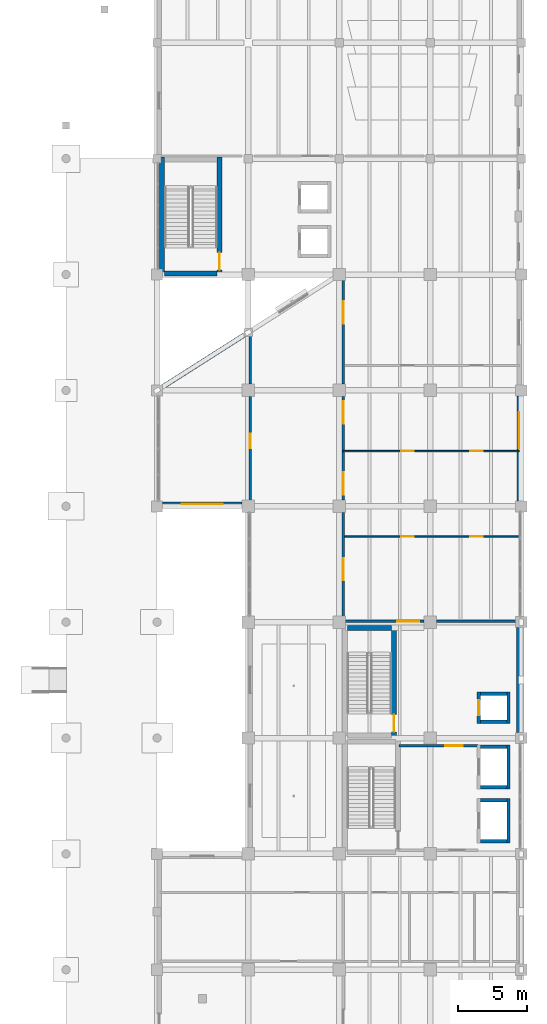
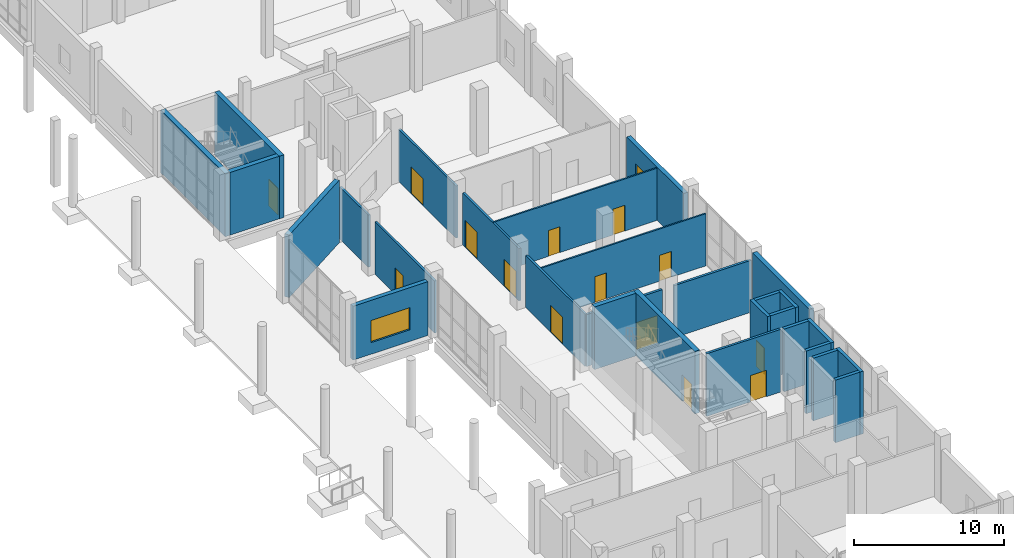
# One storey, part 47 of 64: 29 walls, 14 doors, 2 windows, 16 openings.
"""IFC4 building model written with IfcOpenShell, lengths in metres."""

from ifc_helpers import new_model, si_unit, direction, frame, frame_2d, origin, place, context, subcontext, project, spatial, rectangle, extrude, material, layer, layer_set, type_object, element, fill, save


model = new_model("IFC4")

# Units and contexts
model_context = context("Model", 3, precision=1e-05, world=origin(), true_north=direction((0.0, 1.0)))
body_context = subcontext(model_context, "Body", "Model", "MODEL_VIEW")
ifc_project = project(units=[si_unit("LENGTHUNIT", "METRE"), si_unit("AREAUNIT", "SQUARE_METRE"), si_unit("VOLUMEUNIT", "CUBIC_METRE"), si_unit("PLANEANGLEUNIT", "RADIAN"), si_unit("MASSUNIT", "GRAM", prefix="KILO")], contexts=[model_context])

# Site, building, storey
site_placement = place(None, origin())
site = spatial("IfcSite", under=ifc_project, at=site_placement, CompositionType="ELEMENT")
building_placement = place(site_placement, origin())
building = spatial("IfcBuilding", under=site, at=building_placement, Name="Qaldarim Faculty of Natural and Applied Sciences", CompositionType="ELEMENT")
storey_placement = place(building_placement, origin())
storey = spatial("IfcBuildingStorey", under=building, at=storey_placement, Name="L00", CompositionType="ELEMENT", Elevation=0.0)

# Wall, openings, doors
ifc_material_1 = material(Name="Painted gypsum partition board")
ifc_layer_1 = layer(ifc_material_1, 0.1201171875)
ifc_layer_set_1 = layer_set([ifc_layer_1], Name="Painted gypsum partition board")
wall_type_1 = type_object("IfcWallType", Name="AcousticPartition-120", PredefinedType="PARTITIONING", material=ifc_layer_set_1)
wall_1_placement = place(storey_placement, frame((165.300048828125, 39.800048828125, 0.0), z_axis=(0.0, 0.0, 1.0), x_axis=(1.0, 0.0, 0.0)))
wall_1 = element("IfcWall", 1, at=wall_1_placement, inside=storey, type_object=wall_type_1, Name="Interior partition PRT-L00-V5-SUB-1", PredefinedType="PARTITIONING", context=body_context, shape_type="SweptSolid", body=[
    extrude(rectangle(XDim=12.75, YDim=0.1201171875, at=frame_2d((6.375, 0.0))), origin(), (0.0, 0.0, 1.0), 4.25),
])
opening_1_placement = place(wall_1_placement, frame((4.199951171875, 0.0, 0.0)))
opening_1 = element("IfcOpeningElement", 2, at=opening_1_placement, cuts=wall_1, Name="Opening ID07", PredefinedType="OPENING", context=body_context, shape_type="SweptSolid", body=[
    extrude(rectangle(XDim=0.89990234375, YDim=2.10009765625, at=frame_2d((0.449951171875, 1.050048828125))), frame((0.0, 0.070068359375, 0.0), z_axis=(0.0, -1.0, 0.0), x_axis=(1.0, 0.0, 0.0)), (0.0, 0.0, 1.0), 0.14013671875),
])
opening_2_placement = place(wall_1_placement, frame((9.199951171875, 0.0, 0.0)))
opening_2 = element("IfcOpeningElement", 3, at=opening_2_placement, cuts=wall_1, Name="Opening ID07", PredefinedType="OPENING", context=body_context, shape_type="SweptSolid", body=[
    extrude(rectangle(XDim=0.89990234375, YDim=2.10009765625, at=frame_2d((0.449951171875, 1.050048828125))), frame((0.0, 0.070068359375, 0.0), z_axis=(0.0, -1.0, 0.0), x_axis=(1.0, 0.0, 0.0)), (0.0, 0.0, 1.0), 0.14013671875),
])
ifc_material_2 = material(Name="Oak hardwood", Category="wood")
door_type_1 = type_object("IfcDoorType", Name="OfficeStudyDoor-900x2100", OperationType="NOTDEFINED", PredefinedType="DOOR", material=ifc_material_2)
door_1_placement = place(opening_1_placement, origin())
door_1 = element("IfcDoor", 4, at=door_1_placement, inside=storey, type_object=door_type_1, Name="Interior door D-L00-302", OperationType="SINGLE_SWING_LEFT", OverallHeight=2.10009765625, OverallWidth=0.89990234375, PredefinedType="DOOR", context=body_context, shape_type="SweptSolid", body=[
    extrude(rectangle(XDim=0.89990234375, YDim=2.10009765625, at=frame_2d((0.449951171875, 1.050048828125))), frame((0.0, 0.02490234375, 0.0), z_axis=(0.0, -1.0, 0.0), x_axis=(1.0, 0.0, 0.0)), (0.0, 0.0, 1.0), 0.050048828125),
])
fill(opening_1, door_1)
door_2_placement = place(opening_2_placement, origin())
door_2 = element("IfcDoor", 5, at=door_2_placement, inside=storey, type_object=door_type_1, Name="Interior door D-L00-303", OperationType="SINGLE_SWING_RIGHT", OverallHeight=2.10009765625, OverallWidth=0.89990234375, PredefinedType="DOOR", context=body_context, shape_type="SweptSolid", body=[
    extrude(rectangle(XDim=0.89990234375, YDim=2.10009765625, at=frame_2d((0.449951171875, 1.050048828125))), frame((0.0, 0.02490234375, 0.0), z_axis=(0.0, -1.0, 0.0), x_axis=(1.0, 0.0, 0.0)), (0.0, 0.0, 1.0), 0.050048828125),
])
fill(opening_2, door_2)

wall_2_placement = place(storey_placement, frame((165.300048828125, 46.0, 0.0), z_axis=(0.0, 0.0, 1.0), x_axis=(1.0, 0.0, 0.0)))
wall_2 = element("IfcWall", 6, at=wall_2_placement, inside=storey, type_object=wall_type_1, Name="Interior partition PRT-L00-V5-SUB-2", PredefinedType="PARTITIONING", context=body_context, shape_type="SweptSolid", body=[
    extrude(rectangle(XDim=12.75, YDim=0.1201171875, at=frame_2d((6.375, 0.0))), origin(), (0.0, 0.0, 1.0), 4.25),
])
opening_3_placement = place(wall_2_placement, frame((4.199951171875, 0.0, 0.0)))
opening_3 = element("IfcOpeningElement", 7, at=opening_3_placement, cuts=wall_2, Name="Opening ID07", PredefinedType="OPENING", context=body_context, shape_type="SweptSolid", body=[
    extrude(rectangle(XDim=0.89990234375, YDim=2.10009765625, at=frame_2d((0.449951171875, 1.050048828125))), frame((0.0, 0.070068359375, 0.0), z_axis=(0.0, -1.0, 0.0), x_axis=(1.0, 0.0, 0.0)), (0.0, 0.0, 1.0), 0.14013671875),
])
opening_4_placement = place(wall_2_placement, frame((9.199951171875, 0.0, 0.0)))
opening_4 = element("IfcOpeningElement", 8, at=opening_4_placement, cuts=wall_2, Name="Opening ID07", PredefinedType="OPENING", context=body_context, shape_type="SweptSolid", body=[
    extrude(rectangle(XDim=0.89990234375, YDim=2.10009765625, at=frame_2d((0.449951171875, 1.050048828125))), frame((0.0, 0.070068359375, 0.0), z_axis=(0.0, -1.0, 0.0), x_axis=(1.0, 0.0, 0.0)), (0.0, 0.0, 1.0), 0.14013671875),
])
door_3_placement = place(opening_3_placement, origin())
door_3 = element("IfcDoor", 9, at=door_3_placement, inside=storey, type_object=door_type_1, Name="Interior door D-L00-304", OperationType="SINGLE_SWING_LEFT", OverallHeight=2.10009765625, OverallWidth=0.89990234375, PredefinedType="DOOR", context=body_context, shape_type="SweptSolid", body=[
    extrude(rectangle(XDim=0.89990234375, YDim=2.10009765625, at=frame_2d((0.449951171875, 1.050048828125))), frame((0.0, 0.02490234375, 0.0), z_axis=(0.0, -1.0, 0.0), x_axis=(1.0, 0.0, 0.0)), (0.0, 0.0, 1.0), 0.050048828125),
])
fill(opening_3, door_3)
door_4_placement = place(opening_4_placement, origin())
door_4 = element("IfcDoor", 10, at=door_4_placement, inside=storey, type_object=door_type_1, Name="Interior door D-L00-305", OperationType="SINGLE_SWING_RIGHT", OverallHeight=2.10009765625, OverallWidth=0.89990234375, PredefinedType="DOOR", context=body_context, shape_type="SweptSolid", body=[
    extrude(rectangle(XDim=0.89990234375, YDim=2.10009765625, at=frame_2d((0.449951171875, 1.050048828125))), frame((0.0, 0.02490234375, 0.0), z_axis=(0.0, -1.0, 0.0), x_axis=(1.0, 0.0, 0.0)), (0.0, 0.0, 1.0), 0.050048828125),
])
fill(opening_4, door_4)

# Wall, opening, door
ifc_material_3 = material(Name="Concrete C50/60", Category="concrete")
ifc_layer_2 = layer(ifc_material_3, 0.360107421875)
ifc_layer_set_2 = layer_set([ifc_layer_2], Name="Concrete C50/60")
wall_type_2 = type_object("IfcWallType", Name="CoreShearWall-360", PredefinedType="SHEAR", material=ifc_layer_set_2)
wall_3_placement = place(storey_placement, frame((168.97998046875, 25.18994140625, 0.0), z_axis=(0.0, 0.0, 1.0), x_axis=(0.0, 1.0, 0.0)))
wall_3 = element("IfcWall", 11, at=wall_3_placement, inside=storey, type_object=wall_type_2, Name="Core stair ST-A2 east shear wall L00", PredefinedType="SHEAR", context=body_context, shape_type="SweptSolid", body=[
    extrude(rectangle(XDim=8.170166015625, YDim=0.360107421875, at=frame_2d((4.0849609375, 0.0))), origin(), (0.0, 0.0, 1.0), 5.10009765625),
])
opening_5_placement = place(wall_3_placement, frame((0.449951171875, 0.0, 0.0)))
opening_5 = element("IfcOpeningElement", 12, at=opening_5_placement, cuts=wall_3, Name="Opening ID04", PredefinedType="OPENING", context=body_context, shape_type="SweptSolid", body=[
    extrude(rectangle(XDim=1.25, YDim=2.14990234375, at=frame_2d((0.625, 1.074951171875))), frame((0.0, 0.18994140625, 0.0), z_axis=(0.0, -1.0, 0.0), x_axis=(1.0, 0.0, 0.0)), (0.0, 0.0, 1.0), 0.380126953125),
])
ifc_material_4 = material(Name="Architectural stainless steel 316", Category="steel")
door_type_2 = type_object("IfcDoorType", Name="StairEnclosureFireDoor-1250x2150", OperationType="NOTDEFINED", PredefinedType="DOOR", material=ifc_material_4)
door_5_placement = place(opening_5_placement, origin())
door_5 = element("IfcDoor", 13, at=door_5_placement, inside=storey, type_object=door_type_2, Name="Protected stair ST-A2 fire door D-L00-514", OperationType="SINGLE_SWING_RIGHT", OverallHeight=2.14990234375, OverallWidth=1.25, PredefinedType="DOOR", context=body_context, shape_type="SweptSolid", body=[
    extrude(rectangle(XDim=1.25, YDim=2.14990234375, at=frame_2d((0.625, 1.074951171875))), frame((0.0, 0.02490234375, 0.0), z_axis=(0.0, -1.0, 0.0), x_axis=(1.0, 0.0, 0.0)), (0.0, 0.0, 1.0), 0.050048828125),
])
fill(opening_5, door_5)

# Walls
wall_4_placement = place(storey_placement, frame((165.60009765625, 33.179931640625, 0.0), z_axis=(0.0, 0.0, 1.0), x_axis=(1.0, 0.0, 0.0)))
element("IfcWall", 14, at=wall_4_placement, inside=storey, type_object=wall_type_2, Name="Core stair ST-A2 north shear wall L00", PredefinedType="SHEAR", context=body_context, shape_type="SweptSolid", body=[
    extrude(rectangle(XDim=3.199951171875, YDim=0.360107421875, at=frame_2d((1.60009765625, 0.0))), origin(), (0.0, 0.0, 1.0), 5.10009765625),
])
wall_5_placement = place(storey_placement, frame((152.169921875, 58.68994140625, 0.0), z_axis=(0.0, 0.0, 1.0), x_axis=(0.0, 1.0, 0.0)))
element("IfcWall", 15, at=wall_5_placement, inside=storey, type_object=wall_type_2, Name="Core stair ST-C1 west shear wall L00", PredefinedType="SHEAR", context=body_context, shape_type="SweptSolid", body=[
    extrude(rectangle(XDim=8.6201171875, YDim=0.360107421875, at=frame_2d((4.31005859375, 0.0))), origin(), (0.0, 0.0, 1.0), 5.10009765625),
])

# Wall, opening, door
wall_6_placement = place(storey_placement, frame((156.330078125, 58.68994140625, 0.0), z_axis=(0.0, 0.0, 1.0), x_axis=(0.0, 1.0, 0.0)))
wall_6 = element("IfcWall", 16, at=wall_6_placement, inside=storey, type_object=wall_type_2, Name="Core stair ST-C1 east shear wall L00", PredefinedType="SHEAR", context=body_context, shape_type="SweptSolid", body=[
    extrude(rectangle(XDim=8.6201171875, YDim=0.360107421875, at=frame_2d((4.31005859375, 0.0))), origin(), (0.0, 0.0, 1.0), 5.10009765625),
])
opening_6_placement = place(wall_6_placement, frame((0.449951171875, 0.0, 0.0)))
opening_6 = element("IfcOpeningElement", 17, at=opening_6_placement, cuts=wall_6, Name="Opening ID04", PredefinedType="OPENING", context=body_context, shape_type="SweptSolid", body=[
    extrude(rectangle(XDim=1.25, YDim=2.14990234375, at=frame_2d((0.625, 1.074951171875))), frame((0.0, 0.18994140625, 0.0), z_axis=(0.0, -1.0, 0.0), x_axis=(1.0, 0.0, 0.0)), (0.0, 0.0, 1.0), 0.380126953125),
])
door_6_placement = place(opening_6_placement, origin())
door_6 = element("IfcDoor", 18, at=door_6_placement, inside=storey, type_object=door_type_2, Name="Protected stair ST-C1 fire door D-L00-539", OperationType="SINGLE_SWING_RIGHT", OverallHeight=2.14990234375, OverallWidth=1.25, PredefinedType="DOOR", context=body_context, shape_type="SweptSolid", body=[
    extrude(rectangle(XDim=1.25, YDim=2.14990234375, at=frame_2d((0.625, 1.074951171875))), frame((0.0, 0.02490234375, 0.0), z_axis=(0.0, -1.0, 0.0), x_axis=(1.0, 0.0, 0.0)), (0.0, 0.0, 1.0), 0.050048828125),
])
fill(opening_6, door_6)

# Wall
wall_7_placement = place(storey_placement, frame((152.35009765625, 58.8701171875, 0.0), z_axis=(0.0, 0.0, 1.0), x_axis=(1.0, 0.0, 0.0)))
element("IfcWall", 19, at=wall_7_placement, inside=storey, type_object=wall_type_2, Name="Core stair ST-C1 south shear wall L00", PredefinedType="SHEAR", context=body_context, shape_type="SweptSolid", body=[
    extrude(rectangle(XDim=3.7998046875, YDim=0.360107421875, at=frame_2d((1.89990234375, 0.0))), origin(), (0.0, 0.0, 1.0), 5.10009765625),
])

# Wall, opening, window
ifc_material_5 = material(Name="Precast concrete C40/50", Category="concrete")
ifc_layer_3 = layer(ifc_material_5, 0.320068359375)
ifc_layer_set_3 = layer_set([ifc_layer_3], Name="Precast concrete C40/50")
wall_type_3 = type_object("IfcWallType", Name="ExteriorLimestoneWall-320", PredefinedType="SOLIDWALL", material=ifc_layer_set_3)
wall_8_placement = place(storey_placement, frame((152.195068359375, 42.159912109375, 0.0), z_axis=(0.0, 0.0, 1.0), x_axis=(1.0, 0.0, 0.0)))
wall_8 = element("IfcWall", 20, at=wall_8_placement, inside=storey, type_object=wall_type_3, Name="Exterior wall EW01 L00 S X24Y06", PredefinedType="SOLIDWALL", context=body_context, shape_type="SweptSolid", body=[
    extrude(rectangle(XDim=5.760009765625, YDim=0.320068359375, at=frame_2d((2.8798828125, 0.0))), origin(), (0.0, 0.0, 1.0), 4.385009765625),
])
opening_7_placement = place(wall_8_placement, frame((1.3798828125, 0.0, 0.949951171875)))
opening_7 = element("IfcOpeningElement", 21, at=opening_7_placement, cuts=wall_8, Name="Opening WN04", PredefinedType="OPENING", context=body_context, shape_type="SweptSolid", body=[
    extrude(rectangle(XDim=3.0, YDim=1.800048828125, at=frame_2d((1.5, 0.89990234375))), frame((0.0, 0.169921875, 0.0), z_axis=(0.0, -1.0, 0.0), x_axis=(1.0, 0.0, 0.0)), (0.0, 0.0, 1.0), 0.340087890625),
])
ifc_material_6 = material(Name="Insulated low-e double glazing", Category="glass")
window_type_1 = type_object("IfcWindowType", Name="Window-3000x1800", PartitioningType="TRIPLE_PANEL_VERTICAL", PredefinedType="WINDOW", material=ifc_material_6)
window_1_placement = place(opening_7_placement, origin())
window_1 = element("IfcWindow", 22, at=window_1_placement, inside=storey, type_object=window_type_1, Name="Facade window WN04 L00 S X24Y06", OverallHeight=1.800048828125, OverallWidth=3.0, PartitioningType="SINGLE_PANEL", PredefinedType="WINDOW", context=body_context, shape_type="SweptSolid", body=[
    extrude(rectangle(XDim=3.0, YDim=1.800048828125, at=frame_2d((1.5, 0.89990234375))), frame((0.0, 0.030029296875, 0.0), z_axis=(0.0, -1.0, 0.0), x_axis=(1.0, 0.0, 0.0)), (0.0, 0.0, 1.0), 0.06005859375),
])
fill(opening_7, window_1)

wall_9_placement = place(storey_placement, frame((178.0400390625, 42.39501953125, 0.0), z_axis=(0.0, 0.0, 1.0), x_axis=(0.0, 1.0, 0.0)))
wall_9 = element("IfcWall", 23, at=wall_9_placement, inside=storey, type_object=wall_type_3, Name="Exterior wall EW01 L00 E X27Y06", PredefinedType="SOLIDWALL", context=body_context, shape_type="SweptSolid", body=[
    extrude(rectangle(XDim=7.60986328125, YDim=0.320068359375, at=frame_2d((3.804931640625, 0.0))), origin(), (0.0, 0.0, 1.0), 4.3349609375),
])
opening_8_placement = place(wall_9_placement, frame((3.824951171875, 0.0, 0.949951171875)))
opening_8 = element("IfcOpeningElement", 24, at=opening_8_placement, cuts=wall_9, Name="Opening WN22", PredefinedType="OPENING", context=body_context, shape_type="SweptSolid", body=[
    extrude(rectangle(XDim=2.60009765625, YDim=1.89990234375, at=frame_2d((1.300048828125, 0.949951171875))), frame((0.0, 0.169921875, 0.0), z_axis=(0.0, -1.0, 0.0), x_axis=(1.0, 0.0, 0.0)), (0.0, 0.0, 1.0), 0.340087890625),
])
window_type_2 = type_object("IfcWindowType", Name="StudyWindow-2600x1900", PartitioningType="TRIPLE_PANEL_VERTICAL", PredefinedType="WINDOW", material=ifc_material_6)
window_2_placement = place(opening_8_placement, origin())
window_2 = element("IfcWindow", 25, at=window_2_placement, inside=storey, type_object=window_type_2, Name="Facade window WN22 L00 E X27Y06", OverallHeight=1.89990234375, OverallWidth=2.60009765625, PartitioningType="SINGLE_PANEL", PredefinedType="WINDOW", context=body_context, shape_type="SweptSolid", body=[
    extrude(rectangle(XDim=2.60009765625, YDim=1.89990234375, at=frame_2d((1.300048828125, 0.949951171875))), frame((0.0, 0.030029296875, 0.0), z_axis=(0.0, -1.0, 0.0), x_axis=(1.0, 0.0, 0.0)), (0.0, 0.0, 1.0), 0.06005859375),
])
fill(opening_8, window_2)

# Walls
ifc_layer_4 = layer(ifc_material_3, 0.340087890625)
ifc_layer_set_4 = layer_set([ifc_layer_4], Name="Concrete C50/60")
wall_type_4 = type_object("IfcWallType", Name="ExteriorStairShearWall-340", PredefinedType="SHEAR", material=ifc_layer_set_4)
wall_10_placement = place(storey_placement, frame((178.030029296875, 25.594970703125, 0.0), z_axis=(0.0, 0.0, 1.0), x_axis=(0.0, 1.0, 0.0)))
element("IfcWall", 26, at=wall_10_placement, inside=storey, type_object=wall_type_4, Name="Exterior wall EW05 L00 E X27Y04", PredefinedType="SHEAR", context=body_context, shape_type="SweptSolid", body=[
    extrude(rectangle(XDim=7.610107421875, YDim=0.340087890625, at=frame_2d((3.80517578125, 0.0))), origin(), (0.0, 0.0, 1.0), 5.10009765625),
])
wall_11_placement = place(storey_placement, frame((152.050048828125, 50.56005859375, 0.0), z_axis=(0.0, 0.0, 1.0), x_axis=(0.843776886751, 0.536694107835, 0.0)))
element("IfcWall", 27, at=wall_11_placement, inside=storey, type_object=wall_type_4, Name="Oblique NW chamfer braced wall L00 1", PredefinedType="SHEAR", context=body_context, shape_type="SweptSolid", body=[
    extrude(rectangle(XDim=7.229248046875, YDim=0.340087890625, at=frame_2d((3.61474609375, 0.0))), origin(), (0.0, 0.0, 1.0), 5.10009765625),
])

# Wall, opening, door
ifc_material_7 = material(Name="Concrete C40/50", Category="concrete")
ifc_layer_5 = layer(ifc_material_7, 0.159912109375)
ifc_layer_set_5 = layer_set([ifc_layer_5], Name="Concrete C40/50")
wall_type_5 = type_object("IfcWallType", Name="FireCorridorWall-160", PredefinedType="PARTITIONING", material=ifc_layer_set_5)
wall_12_placement = place(storey_placement, frame((165.300048828125, 33.64990234375, 0.0), z_axis=(0.0, 0.0, 1.0), x_axis=(0.0, 1.0, 0.0)))
wall_12 = element("IfcWall", 28, at=wall_12_placement, inside=storey, type_object=wall_type_5, Name="Interior partition PRT-L00-V5-NMRW-S1", PredefinedType="PARTITIONING", context=body_context, shape_type="SweptSolid", body=[
    extrude(rectangle(XDim=7.900146484375, YDim=0.159912109375, at=frame_2d((3.9501953125, 0.0))), origin(), (0.0, 0.0, 1.0), 4.25),
])
opening_9_placement = place(wall_12_placement, frame((3.0, 0.0, 0.0)))
opening_9 = element("IfcOpeningElement", 29, at=opening_9_placement, cuts=wall_12, Name="Opening ID06", PredefinedType="OPENING", context=body_context, shape_type="SweptSolid", body=[
    extrude(rectangle(XDim=1.60009765625, YDim=2.199951171875, at=frame_2d((0.800048828125, 1.10009765625))), frame((0.0, 0.08984375, 0.0), z_axis=(0.0, -1.0, 0.0), x_axis=(1.0, 0.0, 0.0)), (0.0, 0.0, 1.0), 0.179931640625),
])
door_type_3 = type_object("IfcDoorType", Name="LabEquipmentDoubleDoor-1600x2200", OperationType="NOTDEFINED", PredefinedType="DOOR", material=ifc_material_4)
door_7_placement = place(opening_9_placement, origin())
door_7 = element("IfcDoor", 30, at=door_7_placement, inside=storey, type_object=door_type_3, Name="Interior door D-L00-181", OperationType="DOUBLE_DOOR_SINGLE_SWING", OverallHeight=2.199951171875, OverallWidth=1.60009765625, PredefinedType="DOOR", context=body_context, shape_type="SweptSolid", body=[
    extrude(rectangle(XDim=1.60009765625, YDim=2.199951171875, at=frame_2d((0.800048828125, 1.10009765625))), frame((0.0, 0.02490234375, 0.0), z_axis=(0.0, -1.0, 0.0), x_axis=(1.0, 0.0, 0.0)), (0.0, 0.0, 1.0), 0.050048828125),
])
fill(opening_9, door_7)

# Wall, openings, doors
wall_13_placement = place(storey_placement, frame((165.300048828125, 42.449951171875, 0.0), z_axis=(0.0, 0.0, 1.0), x_axis=(0.0, 1.0, 0.0)))
wall_13 = element("IfcWall", 31, at=wall_13_placement, inside=storey, type_object=wall_type_5, Name="Interior partition PRT-L00-V5-NMRW-S2", PredefinedType="PARTITIONING", context=body_context, shape_type="SweptSolid", body=[
    extrude(rectangle(XDim=7.5, YDim=0.159912109375, at=frame_2d((3.75, 0.0))), origin(), (0.0, 0.0, 1.0), 4.25),
])
opening_10_placement = place(wall_13_placement, frame((0.39990234375, 0.0, 0.0)))
opening_10 = element("IfcOpeningElement", 32, at=opening_10_placement, cuts=wall_13, Name="Opening ID06", PredefinedType="OPENING", context=body_context, shape_type="SweptSolid", body=[
    extrude(rectangle(XDim=1.60009765625, YDim=2.199951171875, at=frame_2d((0.800048828125, 1.10009765625))), frame((0.0, 0.08984375, 0.0), z_axis=(0.0, -1.0, 0.0), x_axis=(1.0, 0.0, 0.0)), (0.0, 0.0, 1.0), 0.179931640625),
])
opening_11_placement = place(wall_13_placement, frame((5.550048828125, 0.0, 0.0)))
opening_11 = element("IfcOpeningElement", 33, at=opening_11_placement, cuts=wall_13, Name="Opening ID06", PredefinedType="OPENING", context=body_context, shape_type="SweptSolid", body=[
    extrude(rectangle(XDim=1.60009765625, YDim=2.199951171875, at=frame_2d((0.800048828125, 1.10009765625))), frame((0.0, 0.08984375, 0.0), z_axis=(0.0, -1.0, 0.0), x_axis=(1.0, 0.0, 0.0)), (0.0, 0.0, 1.0), 0.179931640625),
])
door_8_placement = place(opening_10_placement, origin())
door_8 = element("IfcDoor", 34, at=door_8_placement, inside=storey, type_object=door_type_3, Name="Interior door D-L00-182", OperationType="DOUBLE_DOOR_SINGLE_SWING", OverallHeight=2.199951171875, OverallWidth=1.60009765625, PredefinedType="DOOR", context=body_context, shape_type="SweptSolid", body=[
    extrude(rectangle(XDim=1.60009765625, YDim=2.199951171875, at=frame_2d((0.800048828125, 1.10009765625))), frame((0.0, 0.02490234375, 0.0), z_axis=(0.0, -1.0, 0.0), x_axis=(1.0, 0.0, 0.0)), (0.0, 0.0, 1.0), 0.050048828125),
])
fill(opening_10, door_8)
door_9_placement = place(opening_11_placement, origin())
door_9 = element("IfcDoor", 35, at=door_9_placement, inside=storey, type_object=door_type_3, Name="Interior door D-L00-183", OperationType="DOUBLE_DOOR_SINGLE_SWING", OverallHeight=2.199951171875, OverallWidth=1.60009765625, PredefinedType="DOOR", context=body_context, shape_type="SweptSolid", body=[
    extrude(rectangle(XDim=1.60009765625, YDim=2.199951171875, at=frame_2d((0.800048828125, 1.10009765625))), frame((0.0, 0.02490234375, 0.0), z_axis=(0.0, -1.0, 0.0), x_axis=(1.0, 0.0, 0.0)), (0.0, 0.0, 1.0), 0.050048828125),
])
fill(opening_11, door_9)

# Wall, opening, door
wall_14_placement = place(storey_placement, frame((165.300048828125, 50.85009765625, 0.0), z_axis=(0.0, 0.0, 1.0), x_axis=(0.0, 1.0, 0.0)))
wall_14 = element("IfcWall", 36, at=wall_14_placement, inside=storey, type_object=wall_type_5, Name="Interior partition PRT-L00-V5-NMRW-S3", PredefinedType="PARTITIONING", context=body_context, shape_type="SweptSolid", body=[
    extrude(rectangle(XDim=7.64990234375, YDim=0.159912109375, at=frame_2d((3.824951171875, 0.0))), origin(), (0.0, 0.0, 1.0), 4.25),
])
opening_12_placement = place(wall_14_placement, frame((4.39990234375, 0.0, 0.0)))
opening_12 = element("IfcOpeningElement", 37, at=opening_12_placement, cuts=wall_14, Name="Opening ID06", PredefinedType="OPENING", context=body_context, shape_type="SweptSolid", body=[
    extrude(rectangle(XDim=1.60009765625, YDim=2.199951171875, at=frame_2d((0.800048828125, 1.10009765625))), frame((0.0, 0.08984375, 0.0), z_axis=(0.0, -1.0, 0.0), x_axis=(1.0, 0.0, 0.0)), (0.0, 0.0, 1.0), 0.179931640625),
])
door_10_placement = place(opening_12_placement, origin())
door_10 = element("IfcDoor", 38, at=door_10_placement, inside=storey, type_object=door_type_3, Name="Interior door D-L00-184", OperationType="DOUBLE_DOOR_SINGLE_SWING", OverallHeight=2.199951171875, OverallWidth=1.60009765625, PredefinedType="DOOR", context=body_context, shape_type="SweptSolid", body=[
    extrude(rectangle(XDim=1.60009765625, YDim=2.199951171875, at=frame_2d((0.800048828125, 1.10009765625))), frame((0.0, 0.02490234375, 0.0), z_axis=(0.0, -1.0, 0.0), x_axis=(1.0, 0.0, 0.0)), (0.0, 0.0, 1.0), 0.050048828125),
])
fill(opening_12, door_10)

wall_15_placement = place(storey_placement, frame((158.550048828125, 42.0, 0.0), z_axis=(0.0, 0.0, 1.0), x_axis=(0.0, 1.0, 0.0)))
wall_15 = element("IfcWall", 39, at=wall_15_placement, inside=storey, type_object=wall_type_5, Name="Interior partition PRT-L00-V5-NWSE-S1", PredefinedType="PARTITIONING", context=body_context, shape_type="SweptSolid", body=[
    extrude(rectangle(XDim=7.949951171875, YDim=0.159912109375, at=frame_2d((3.97509765625, 0.0))), origin(), (0.0, 0.0, 1.0), 4.25),
])
opening_13_placement = place(wall_15_placement, frame((4.199951171875, 0.0, 0.0)))
opening_13 = element("IfcOpeningElement", 40, at=opening_13_placement, cuts=wall_15, Name="Opening ID02", PredefinedType="OPENING", context=body_context, shape_type="SweptSolid", body=[
    extrude(rectangle(XDim=1.050048828125, YDim=2.14990234375, at=frame_2d((0.52490234375, 1.074951171875))), frame((0.0, 0.08984375, 0.0), z_axis=(0.0, -1.0, 0.0), x_axis=(1.0, 0.0, 0.0)), (0.0, 0.0, 1.0), 0.179931640625),
])
door_type_4 = type_object("IfcDoorType", Name="AccessibleRoomDoor-1050x2150", OperationType="NOTDEFINED", PredefinedType="DOOR", material=ifc_material_2)
door_11_placement = place(opening_13_placement, origin())
door_11 = element("IfcDoor", 41, at=door_11_placement, inside=storey, type_object=door_type_4, Name="Interior door D-L00-391", OperationType="SINGLE_SWING_LEFT", OverallHeight=2.14990234375, OverallWidth=1.050048828125, PredefinedType="DOOR", context=body_context, shape_type="SweptSolid", body=[
    extrude(rectangle(XDim=1.050048828125, YDim=2.14990234375, at=frame_2d((0.52490234375, 1.074951171875))), frame((0.0, 0.02490234375, 0.0), z_axis=(0.0, -1.0, 0.0), x_axis=(1.0, 0.0, 0.0)), (0.0, 0.0, 1.0), 0.050048828125),
])
fill(opening_13, door_11)

# Wall
wall_16_placement = place(storey_placement, frame((158.550048828125, 50.85009765625, 0.0), z_axis=(0.0, 0.0, 1.0), x_axis=(0.0, 1.0, 0.0)))
element("IfcWall", 42, at=wall_16_placement, inside=storey, type_object=wall_type_5, Name="Interior partition PRT-L00-V5-NWSE-S2", PredefinedType="PARTITIONING", context=body_context, shape_type="SweptSolid", body=[
    extrude(rectangle(XDim=3.7998046875, YDim=0.159912109375, at=frame_2d((1.89990234375, 0.0))), origin(), (0.0, 0.0, 1.0), 4.25),
])

# Wall, opening, door
ifc_layer_6 = layer(ifc_material_7, 0.179931640625)
ifc_layer_set_6 = layer_set([ifc_layer_6], Name="Concrete C40/50")
wall_type_6 = type_object("IfcWallType", Name="LabFireCompartmentWall-180", PredefinedType="SOLIDWALL", material=ifc_layer_set_6)
wall_17_placement = place(storey_placement, frame((165.300048828125, 33.64990234375, 0.0), z_axis=(0.0, 0.0, 1.0), x_axis=(1.0, 0.0, 0.0)))
wall_17 = element("IfcWall", 43, at=wall_17_placement, inside=storey, type_object=wall_type_6, Name="Interior partition PRT-L00-V5-NMRS-S1", PredefinedType="SOLIDWALL", context=body_context, shape_type="SweptSolid", body=[
    extrude(rectangle(XDim=5.849853515625, YDim=0.179931640625, at=frame_2d((2.9248046875, 0.0))), origin(), (0.0, 0.0, 1.0), 4.235107421875),
])
opening_14_placement = place(wall_17_placement, frame((3.89990234375, 0.0, 0.0)))
opening_14 = element("IfcOpeningElement", 44, at=opening_14_placement, cuts=wall_17, Name="Opening ID06", PredefinedType="OPENING", context=body_context, shape_type="SweptSolid", body=[
    extrude(rectangle(XDim=1.60009765625, YDim=2.199951171875, at=frame_2d((0.800048828125, 1.10009765625))), frame((0.0, 0.099853515625, 0.0), z_axis=(0.0, -1.0, 0.0), x_axis=(1.0, 0.0, 0.0)), (0.0, 0.0, 1.0), 0.199951171875),
])
door_12_placement = place(opening_14_placement, origin())
door_12 = element("IfcDoor", 45, at=door_12_placement, inside=storey, type_object=door_type_3, Name="Interior door D-L00-180", OperationType="DOUBLE_DOOR_SINGLE_SWING", OverallHeight=2.199951171875, OverallWidth=1.60009765625, PredefinedType="DOOR", context=body_context, shape_type="SweptSolid", body=[
    extrude(rectangle(XDim=1.60009765625, YDim=2.199951171875, at=frame_2d((0.800048828125, 1.10009765625))), frame((0.0, 0.02490234375, 0.0), z_axis=(0.0, -1.0, 0.0), x_axis=(1.0, 0.0, 0.0)), (0.0, 0.0, 1.0), 0.050048828125),
])
fill(opening_14, door_12)

# Wall
wall_18_placement = place(storey_placement, frame((172.050048828125, 33.64990234375, 0.0), z_axis=(0.0, 0.0, 1.0), x_axis=(1.0, 0.0, 0.0)))
element("IfcWall", 46, at=wall_18_placement, inside=storey, type_object=wall_type_6, Name="Interior partition PRT-L00-V5-NMRS-S2", PredefinedType="SOLIDWALL", context=body_context, shape_type="SweptSolid", body=[
    extrude(rectangle(XDim=5.949951171875, YDim=0.179931640625, at=frame_2d((2.97509765625, 0.0))), origin(), (0.0, 0.0, 1.0), 4.235107421875),
])

# Wall, opening, door
wall_19_placement = place(storey_placement, frame((169.35009765625, 24.639892578125, 0.0), z_axis=(0.0, 0.0, 1.0), x_axis=(1.0, 0.0, 0.0)))
wall_19 = element("IfcWall", 47, at=wall_19_placement, inside=storey, type_object=wall_type_6, Name="Fire-fighting lobby compartment wall Core A L00", PredefinedType="SOLIDWALL", context=body_context, shape_type="SweptSolid", body=[
    extrude(rectangle(XDim=5.699951171875, YDim=0.179931640625, at=frame_2d((2.85009765625, 0.0))), origin(), (0.0, 0.0, 1.0), 5.10009765625),
])
opening_15_placement = place(wall_19_placement, frame((3.35009765625, 0.0, 0.0)))
opening_15 = element("IfcOpeningElement", 48, at=opening_15_placement, cuts=wall_19, Name="Opening ID04", PredefinedType="OPENING", context=body_context, shape_type="SweptSolid", body=[
    extrude(rectangle(XDim=1.25, YDim=2.14990234375, at=frame_2d((0.625, 1.074951171875))), frame((0.0, 0.099853515625, 0.0), z_axis=(0.0, -1.0, 0.0), x_axis=(1.0, 0.0, 0.0)), (0.0, 0.0, 1.0), 0.199951171875),
])
door_13_placement = place(opening_15_placement, frame((1.25, 0.0, 0.0), z_axis=(0.0, 0.0, 1.0), x_axis=(-1.0, 0.0, 0.0)))
door_13 = element("IfcDoor", 49, at=door_13_placement, inside=storey, type_object=door_type_2, Name="Fire-fighting lobby door Core A D-L00-598", OperationType="SINGLE_SWING_RIGHT", OverallHeight=2.14990234375, OverallWidth=1.25, PredefinedType="DOOR", context=body_context, shape_type="SweptSolid", body=[
    extrude(rectangle(XDim=1.25, YDim=2.14990234375, at=frame_2d((0.625, 1.074951171875))), frame((0.0, 0.02490234375, 0.0), z_axis=(0.0, -1.0, 0.0), x_axis=(1.0, 0.0, 0.0)), (0.0, 0.0, 1.0), 0.050048828125),
])
fill(opening_15, door_13)

# Walls
ifc_layer_7 = layer(ifc_material_7, 0.25)
ifc_layer_set_7 = layer_set([ifc_layer_7], Name="Concrete C40/50")
wall_type_7 = type_object("IfcWallType", Name="LiftShaftWall-250", PredefinedType="SHEAR", material=ifc_layer_set_7)
wall_20_placement = place(storey_placement, frame((177.27490234375, 17.60009765625, 0.0), z_axis=(0.0, 0.0, 1.0), x_axis=(0.0, 1.0, 0.0)))
element("IfcWall", 50, at=wall_20_placement, inside=storey, type_object=wall_type_7, Name="Lift LF-A1 rear shaft wall L00", PredefinedType="SHEAR", context=body_context, shape_type="SweptSolid", body=[
    extrude(rectangle(XDim=3.199951171875, YDim=0.25, at=frame_2d((1.60009765625, 0.0))), origin(), (0.0, 0.0, 1.0), 5.10009765625),
])
for number, where, z_axis, x_axis, name in (
    (51, (175.25, 17.72509765625, 0.0), (0.0, 0.0, 1.0), (1.0, 0.0, 0.0), "Lift LF-A1 south shaft wall L00"),
    (52, (175.25, 20.675048828125, 0.0), (0.0, 0.0, 1.0), (1.0, 0.0, 0.0), "Lift LF-A1 north shaft wall L00"),
):
    element("IfcWall", number, at=place(storey_placement, frame(where, z_axis=z_axis, x_axis=x_axis)), inside=storey, type_object=wall_type_7, Name=name, PredefinedType="SHEAR", context=body_context, shape_type="SweptSolid", body=[
        extrude(rectangle(XDim=1.89990234375, YDim=0.25, at=frame_2d((0.949951171875, 0.0))), origin(), (0.0, 0.0, 1.0), 5.10009765625),
    ])
wall_21_placement = place(storey_placement, frame((177.27490234375, 21.5, 0.0), z_axis=(0.0, 0.0, 1.0), x_axis=(0.0, 1.0, 0.0)))
element("IfcWall", 53, at=wall_21_placement, inside=storey, type_object=wall_type_7, Name="Lift LF-A2 rear shaft wall L00", PredefinedType="SHEAR", context=body_context, shape_type="SweptSolid", body=[
    extrude(rectangle(XDim=3.199951171875, YDim=0.25, at=frame_2d((1.60009765625, 0.0))), origin(), (0.0, 0.0, 1.0), 5.10009765625),
])
for number, where, z_axis, x_axis, name in (
    (54, (175.25, 21.625, 0.0), (0.0, 0.0, 1.0), (1.0, 0.0, 0.0), "Lift LF-A2 south shaft wall L00"),
    (55, (175.25, 24.574951171875, 0.0), (0.0, 0.0, 1.0), (1.0, 0.0, 0.0), "Lift LF-A2 north shaft wall L00"),
):
    element("IfcWall", number, at=place(storey_placement, frame(where, z_axis=z_axis, x_axis=x_axis)), inside=storey, type_object=wall_type_7, Name=name, PredefinedType="SHEAR", context=body_context, shape_type="SweptSolid", body=[
        extrude(rectangle(XDim=1.89990234375, YDim=0.25, at=frame_2d((0.949951171875, 0.0))), origin(), (0.0, 0.0, 1.0), 5.10009765625),
    ])

# Wall, opening, door
wall_22_placement = place(storey_placement, frame((175.125, 26.25, 0.0), z_axis=(0.0, 0.0, 1.0), x_axis=(0.0, 1.0, 0.0)))
wall_22 = element("IfcWall", 56, at=wall_22_placement, inside=storey, type_object=wall_type_7, Name="Lift LF-A3 front shaft wall L00", PredefinedType="SHEAR", context=body_context, shape_type="SweptSolid", body=[
    extrude(rectangle(XDim=2.300048828125, YDim=0.25, at=frame_2d((1.14990234375, 0.0))), origin(), (0.0, 0.0, 1.0), 5.10009765625),
])
opening_16_placement = place(wall_22_placement, frame((0.60009765625, 0.0, 0.0)))
opening_16 = element("IfcOpeningElement", 57, at=opening_16_placement, cuts=wall_22, Name="Opening LD01", PredefinedType="OPENING", context=body_context, shape_type="SweptSolid", body=[
    extrude(rectangle(XDim=1.10009765625, YDim=2.14990234375, at=frame_2d((0.550048828125, 1.074951171875))), frame((0.0, 0.135009765625, 0.0), z_axis=(0.0, -1.0, 0.0), x_axis=(1.0, 0.0, 0.0)), (0.0, 0.0, 1.0), 0.27001953125),
])
door_type_5 = type_object("IfcDoorType", Name="LiftLandingSlidingDoor-1100x2150", OperationType="NOTDEFINED", PredefinedType="DOOR", material=ifc_material_4)
door_14_placement = place(opening_16_placement, origin())
door_14 = element("IfcDoor", 58, at=door_14_placement, inside=storey, type_object=door_type_5, Name="Lift landing sliding door LF-A3 D-L00-584", OperationType="SLIDING_TO_LEFT", OverallHeight=2.14990234375, OverallWidth=1.10009765625, PredefinedType="DOOR", context=body_context, shape_type="SweptSolid", body=[
    extrude(rectangle(XDim=1.10009765625, YDim=2.14990234375, at=frame_2d((0.550048828125, 1.074951171875))), frame((0.0, 0.02490234375, 0.0), z_axis=(0.0, -1.0, 0.0), x_axis=(1.0, 0.0, 0.0)), (0.0, 0.0, 1.0), 0.050048828125),
])
fill(opening_16, door_14)

# Walls
wall_23_placement = place(storey_placement, frame((177.27490234375, 26.25, 0.0), z_axis=(0.0, 0.0, 1.0), x_axis=(0.0, 1.0, 0.0)))
element("IfcWall", 59, at=wall_23_placement, inside=storey, type_object=wall_type_7, Name="Lift LF-A3 rear shaft wall L00", PredefinedType="SHEAR", context=body_context, shape_type="SweptSolid", body=[
    extrude(rectangle(XDim=2.300048828125, YDim=0.25, at=frame_2d((1.14990234375, 0.0))), origin(), (0.0, 0.0, 1.0), 5.10009765625),
])
for number, where, z_axis, x_axis, name in (
    (60, (175.25, 26.375, 0.0), (0.0, 0.0, 1.0), (1.0, 0.0, 0.0), "Lift LF-A3 south shaft wall L00"),
    (61, (175.25, 28.425048828125, 0.0), (0.0, 0.0, 1.0), (1.0, 0.0, 0.0), "Lift LF-A3 north shaft wall L00"),
):
    element("IfcWall", number, at=place(storey_placement, frame(where, z_axis=z_axis, x_axis=x_axis)), inside=storey, type_object=wall_type_7, Name=name, PredefinedType="SHEAR", context=body_context, shape_type="SweptSolid", body=[
        extrude(rectangle(XDim=1.89990234375, YDim=0.25, at=frame_2d((0.949951171875, 0.0))), origin(), (0.0, 0.0, 1.0), 5.10009765625),
    ])

save(model, "model.ifc")
